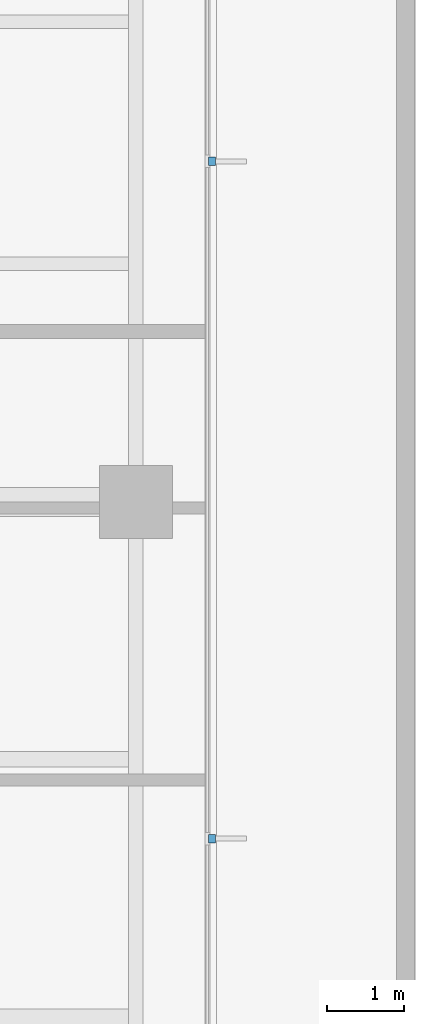
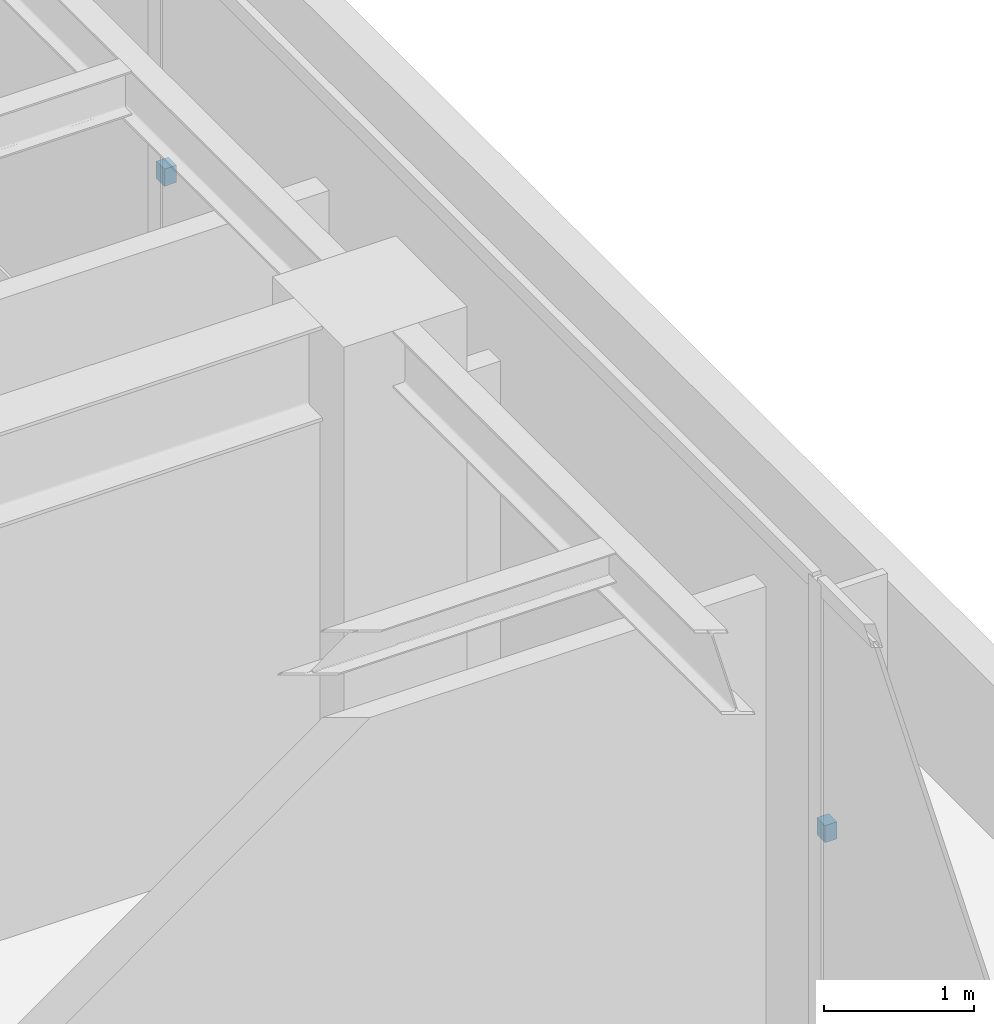
# One storey, part 11 of 14: 2 discrete accessories.
"""IFC4 building model written with IfcOpenShell, lengths in metres."""

from ifc_helpers import new_model, si_unit, direction, frame, origin, place, context, subcontext, project, spatial, polyline, outline, extrude, material, type_object, element, save


model = new_model("IFC4")

# Units and contexts
model_context = context("Model", 3, precision=1e-05, world=origin(), true_north=direction((0.0, 1.0)))
body_context = subcontext(model_context, "Body", "Model", "MODEL_VIEW")
ifc_project = project(units=[si_unit("LENGTHUNIT", "METRE"), si_unit("AREAUNIT", "SQUARE_METRE"), si_unit("VOLUMEUNIT", "CUBIC_METRE"), si_unit("PLANEANGLEUNIT", "RADIAN"), si_unit("MASSUNIT", "GRAM", prefix="KILO")], contexts=[model_context])

# Site, building, storey
site_placement = place(None, origin())
site = spatial("IfcSite", under=ifc_project, at=site_placement, CompositionType="ELEMENT")
building_placement = place(site_placement, origin())
building = spatial("IfcBuilding", under=site, at=building_placement, Name="Qalmaran Belvedere Hotel", CompositionType="ELEMENT")
storey_placement = place(building_placement, frame((0.0, 0.0, 192.5)))
storey = spatial("IfcBuildingStorey", under=building, at=storey_placement, Name="L48", CompositionType="ELEMENT", Elevation=192.5)

# Discrete accessories
ifc_material = material(Name="Stainless Steel 1.4401", Category="steel")
discrete_accessory_type = type_object("IfcDiscreteAccessoryType", Name="BRK-FIN-SS316", PredefinedType="BRACKET", material=ifc_material)
discrete_accessory_1_placement = place(storey_placement, frame((0.0, 0.0, 2.030029296875)))
element("IfcDiscreteAccessory", 1, at=discrete_accessory_1_placement, inside=storey, type_object=discrete_accessory_type, Name="L48 Fin Bracket 1", PredefinedType="BRACKET", context=body_context, shape_type="SweptSolid", body=[
    extrude(outline(polyline([(53.4951171875, 16.061767578125), (53.58740234375, 16.061767578125), (53.58740234375, 16.171630859375), (53.4951171875, 16.171630859375), (53.4951171875, 16.061767578125)])), origin(), (0.0, 0.0, 1.0), 0.139892578125),
])
discrete_accessory_2_placement = place(storey_placement, frame((0.0, 0.0, 2.030029296875)))
element("IfcDiscreteAccessory", 2, at=discrete_accessory_2_placement, inside=storey, type_object=discrete_accessory_type, Name="L48 Fin Bracket 2", PredefinedType="BRACKET", context=body_context, shape_type="SweptSolid", body=[
    extrude(outline(polyline([(53.4951171875, 24.87841796875), (53.58740234375, 24.87841796875), (53.58740234375, 24.98828125), (53.4951171875, 24.98828125), (53.4951171875, 24.87841796875)])), origin(), (0.0, 0.0, 1.0), 0.139892578125),
])

save(model, "model.ifc")
